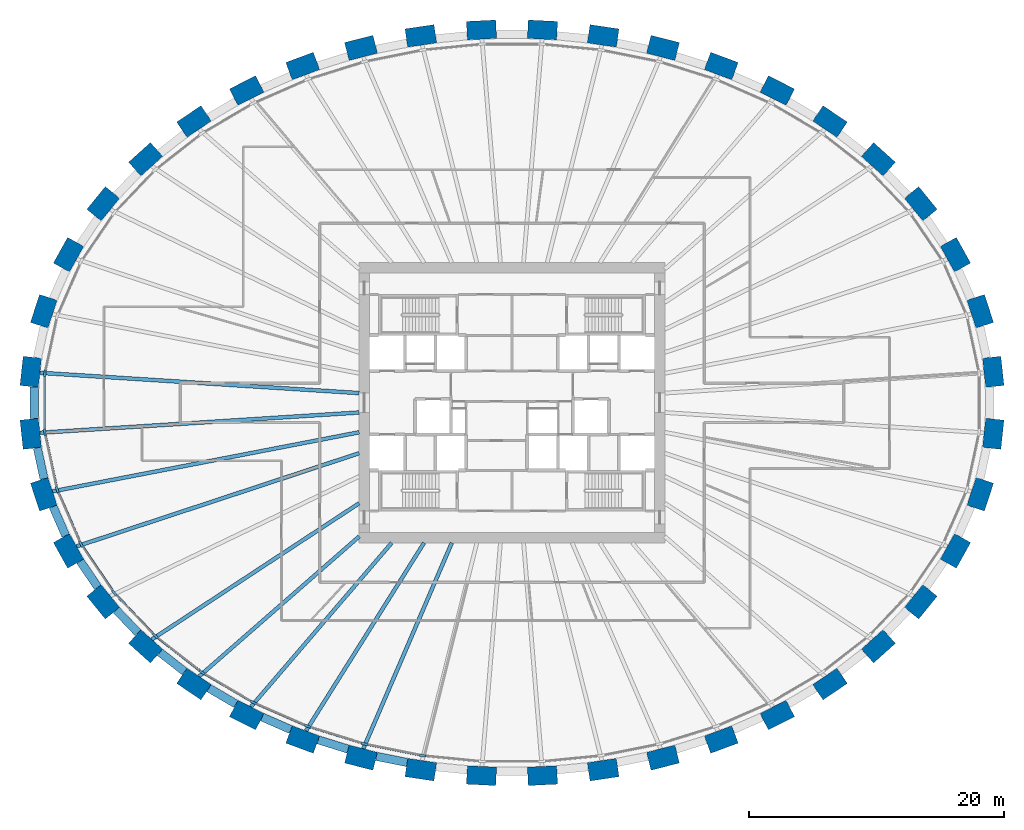
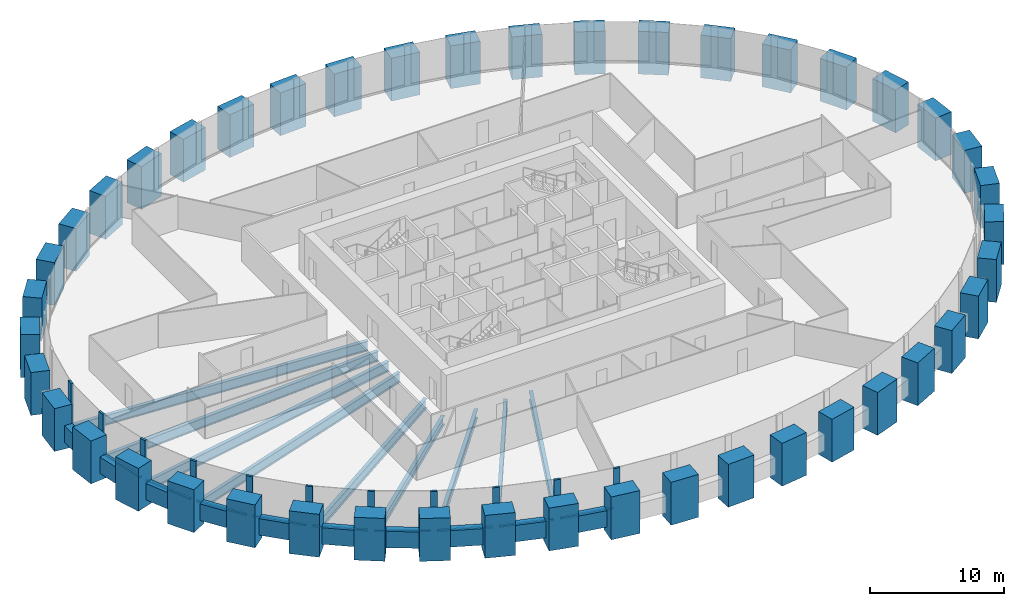
# One storey, part 1 of 10: 44 columns, 21 members, 19 beams, 1 element without a shape of its own.
"""IFC4 building model written with IfcOpenShell, lengths in metres."""

from ifc_helpers import new_model, si_unit, direction, frame, origin, origin_2d, place, context, subcontext, project, spatial, rectangle, i_section, extrude, source, transform, mapped, material, material_profile, profile_set, type_object, element, aggregate, save


model = new_model("IFC4")

# Units and contexts
model_context = context("Model", 3, precision=1e-05, world=origin(), true_north=direction((0.0, 1.0)))
body_context = subcontext(model_context, "Body", "Model", "MODEL_VIEW")
ifc_project = project(units=[si_unit("LENGTHUNIT", "METRE"), si_unit("AREAUNIT", "SQUARE_METRE"), si_unit("VOLUMEUNIT", "CUBIC_METRE"), si_unit("PLANEANGLEUNIT", "RADIAN"), si_unit("MASSUNIT", "GRAM", prefix="KILO")], contexts=[model_context])

# Site, building, storey
site_placement = place(None, origin())
site = spatial("IfcSite", under=ifc_project, at=site_placement, CompositionType="ELEMENT")
building_placement = place(site_placement, origin())
building = spatial("IfcBuilding", under=site, at=building_placement, Name="Embergate Tower", CompositionType="ELEMENT")
storey_placement = place(building_placement, frame((0.0, 0.0, 152.10009765625)))
storey = spatial("IfcBuildingStorey", under=building, at=storey_placement, Name="L33", CompositionType="ELEMENT", Elevation=152.10009765625)

# Columns
ifc_material_1 = material(Name="Concrete C70", Category="concrete")
ifc_material_profile_1 = material_profile(ifc_material_1, rectangle(XDim=1.449951171875, YDim=2.300048828125, at=origin_2d()), Name="RC 1450x2300")
ifc_profile_set_1 = profile_set([ifc_material_profile_1], Name="Concrete C70")
column_type = type_object("IfcColumnType", Name="Ring column RC 1450x2300 C70", PredefinedType="COLUMN", material=ifc_profile_set_1)
shared_shape_1 = source(origin(), body_context, "Body", "SweptSolid", [
    extrude(rectangle(XDim=1.449951171875, YDim=2.300048828125, at=origin_2d()), origin(), (0.0, 0.0, 1.0), 3.900146484375),
])
for number, where, z_axis, x_axis, name in (
    (1, (37.7919921875, 2.431884765625, -1.400146484375), (0.0, 0.0, 1.0), (0.99428589498, 0.106749983816, 0.0), "COL-L33-00"),
    (2, (36.76904296875, 7.18408203125, -1.400146484375), (0.0, 0.0, 1.0), (0.950754033697, 0.309946394413, 0.0), "COL-L33-01"),
    (3, (34.821044921875, 11.6279296875, -1.400146484375), (0.0, 0.0, 1.0), (0.873491969053, 0.486838556403, 0.0), "COL-L33-02"),
    (4, (32.10009765625, 15.62890625, -1.400146484375), (0.0, 0.0, 1.0), (0.775914301615, 0.630838328377, 0.0), "COL-L33-03"),
    (5, (28.76904296875, 19.1220703125, -1.400146484375), (0.0, 0.0, 1.0), (0.669208424634, 0.74307475021, 0.0), "COL-L33-04"),
    (6, (24.972900390625, 22.0849609375, -1.400146484375), (0.0, 0.0, 1.0), (0.560393279442, 0.828226643109, 0.0), "COL-L33-05"),
    (7, (20.830078125, 24.52099609375, -1.400146484375), (0.0, 0.0, 1.0), (0.452994952881, 0.891513080478, 0.0), "COL-L33-06"),
    (8, (16.43310546875, 26.444091796875, -1.400146484375), (0.0, 0.0, 1.0), (0.348343015724, 0.93736713373, 0.0), "COL-L33-07"),
    (9, (11.85595703125, 27.868896484375, -1.400146484375), (0.0, 0.0, 1.0), (0.246491603437, 0.969144926951, 0.0), "COL-L33-08"),
    (10, (7.158935546875, 28.81103515625, -1.400146484375), (0.0, 0.0, 1.0), (0.146929011949, 0.989147039346, 0.0), "COL-L33-09"),
    (11, (2.39404296875, 29.280029296875, -1.400146484375), (0.0, 0.0, 1.0), (0.048814904854, 0.998807841912, 0.0), "COL-L33-10"),
    (12, (-2.39404296875, 29.280029296875, -1.400146484375), (0.0, 0.0, 1.0), (-0.048814904854, 0.998807841912, 0.0), "COL-L33-11"),
    (13, (-7.158935546875, 28.81103515625, -1.400146484375), (0.0, 0.0, 1.0), (-0.146929011949, 0.989147039346, 0.0), "COL-L33-12"),
    (14, (-11.85595703125, 27.868896484375, -1.400146484375), (0.0, 0.0, 1.0), (-0.246491603437, 0.969144926951, 0.0), "COL-L33-13"),
    (15, (-16.43310546875, 26.444091796875, -1.400146484375), (0.0, 0.0, 1.0), (-0.348343015724, 0.93736713373, 0.0), "COL-L33-14"),
    (16, (-20.830078125, 24.52099609375, -1.400146484375), (0.0, 0.0, 1.0), (-0.452994952881, 0.891513080478, 0.0), "COL-L33-15"),
    (17, (-24.972900390625, 22.0849609375, -1.400146484375), (0.0, 0.0, 1.0), (-0.560393279442, 0.828226643109, 0.0), "COL-L33-16"),
    (18, (-28.76904296875, 19.1220703125, -1.400146484375), (0.0, 0.0, 1.0), (-0.669208424634, 0.74307475021, 0.0), "COL-L33-17"),
    (19, (-32.10009765625, 15.62890625, -1.400146484375), (0.0, 0.0, 1.0), (-0.775914301615, 0.630838328377, 0.0), "COL-L33-18"),
    (20, (-34.821044921875, 11.6279296875, -1.400146484375), (0.0, 0.0, 1.0), (-0.873491969053, 0.486838556403, 0.0), "COL-L33-19"),
    (21, (-36.76904296875, 7.18408203125, -1.400146484375), (0.0, 0.0, 1.0), (-0.950754033697, 0.309946394413, 0.0), "COL-L33-20"),
    (22, (-37.7919921875, 2.431884765625, -1.400146484375), (0.0, 0.0, 1.0), (-0.99428589498, 0.106749983816, 0.0), "COL-L33-21"),
    (23, (-37.7919921875, -2.431884765625, -1.400146484375), (0.0, 0.0, 1.0), (-0.99428589498, -0.106749983816, 0.0), "COL-L33-22"),
    (24, (-36.76904296875, -7.18408203125, -1.400146484375), (0.0, 0.0, 1.0), (-0.950754033697, -0.309946394413, 0.0), "COL-L33-23"),
    (25, (-34.821044921875, -11.6279296875, -1.400146484375), (0.0, 0.0, 1.0), (-0.873491969053, -0.486838556403, 0.0), "COL-L33-24"),
    (26, (-32.10009765625, -15.62890625, -1.400146484375), (0.0, 0.0, 1.0), (-0.775914301615, -0.630838328377, 0.0), "COL-L33-25"),
    (27, (-28.76904296875, -19.1220703125, -1.400146484375), (0.0, 0.0, 1.0), (-0.669208424634, -0.74307475021, 0.0), "COL-L33-26"),
    (28, (-24.972900390625, -22.0849609375, -1.400146484375), (0.0, 0.0, 1.0), (-0.560393279442, -0.828226643109, 0.0), "COL-L33-27"),
    (29, (-20.830078125, -24.52099609375, -1.400146484375), (0.0, 0.0, 1.0), (-0.452994952881, -0.891513080478, 0.0), "COL-L33-28"),
    (30, (-16.43310546875, -26.444091796875, -1.400146484375), (0.0, 0.0, 1.0), (-0.348343015724, -0.93736713373, 0.0), "COL-L33-29"),
    (31, (-11.85595703125, -27.868896484375, -1.400146484375), (0.0, 0.0, 1.0), (-0.246491603437, -0.969144926951, 0.0), "COL-L33-30"),
    (32, (-7.158935546875, -28.81103515625, -1.400146484375), (0.0, 0.0, 1.0), (-0.146929011949, -0.989147039346, 0.0), "COL-L33-31"),
    (33, (-2.39404296875, -29.280029296875, -1.400146484375), (0.0, 0.0, 1.0), (-0.048814904854, -0.998807841912, 0.0), "COL-L33-32"),
    (34, (2.39404296875, -29.280029296875, -1.400146484375), (0.0, 0.0, 1.0), (0.048814904854, -0.998807841912, 0.0), "COL-L33-33"),
    (35, (7.158935546875, -28.81103515625, -1.400146484375), (0.0, 0.0, 1.0), (0.146929011949, -0.989147039346, 0.0), "COL-L33-34"),
    (36, (11.85595703125, -27.868896484375, -1.400146484375), (0.0, 0.0, 1.0), (0.246491603437, -0.969144926951, 0.0), "COL-L33-35"),
    (37, (16.43310546875, -26.444091796875, -1.400146484375), (0.0, 0.0, 1.0), (0.348343015724, -0.93736713373, 0.0), "COL-L33-36"),
    (38, (20.830078125, -24.52099609375, -1.400146484375), (0.0, 0.0, 1.0), (0.452994952881, -0.891513080478, 0.0), "COL-L33-37"),
    (39, (24.972900390625, -22.0849609375, -1.400146484375), (0.0, 0.0, 1.0), (0.560393279442, -0.828226643109, 0.0), "COL-L33-38"),
    (40, (28.76904296875, -19.1220703125, -1.400146484375), (0.0, 0.0, 1.0), (0.669208424634, -0.74307475021, 0.0), "COL-L33-39"),
    (41, (32.10009765625, -15.62890625, -1.400146484375), (0.0, 0.0, 1.0), (0.775914301615, -0.630838328377, 0.0), "COL-L33-40"),
    (42, (34.821044921875, -11.6279296875, -1.400146484375), (0.0, 0.0, 1.0), (0.873491969053, -0.486838556403, 0.0), "COL-L33-41"),
    (43, (36.76904296875, -7.18408203125, -1.400146484375), (0.0, 0.0, 1.0), (0.950754033697, -0.309946394413, 0.0), "COL-L33-42"),
    (44, (37.7919921875, -2.431884765625, -1.400146484375), (0.0, 0.0, 1.0), (0.99428589498, -0.106749983816, 0.0), "COL-L33-43"),
):
    element("IfcColumn", number, at=place(storey_placement, frame(where, z_axis=z_axis, x_axis=x_axis)), inside=storey, type_object=column_type, Name=name, PredefinedType="COLUMN", context=body_context, shape_type="MappedRepresentation", body=[
        mapped(shared_shape_1, transform((0.0, 0.0, 0.0))),
    ])

# Beams
ifc_material_profile_2 = material_profile(ifc_material_1, rectangle(XDim=0.64990234375, YDim=1.5, at=origin_2d()), Name="RC 650x1500")
ifc_profile_set_2 = profile_set([ifc_material_profile_2], Name="Concrete C70")
beam_type_1 = type_object("IfcBeamType", Name="Spandrel beam RC 650x1500 C70", PredefinedType="BEAM", material=ifc_profile_set_2)
shared_shape_2 = source(origin(), body_context, "Body", "SweptSolid", [
    extrude(rectangle(XDim=0.64990234375, YDim=1.5, at=origin_2d()), origin(), (0.0, 0.0, 1.0), 2.490966796875),
])
beam_1_placement = place(storey_placement, frame((-37.27294921875, -3.532958984375, 0.0), z_axis=(0.210720345789, -0.977546385534, 0.0), x_axis=(0.977546385534, 0.210720345789, 0.0)))
element("IfcBeam", 45, at=beam_1_placement, inside=storey, type_object=beam_type_1, Name="SPN-L33-22", PredefinedType="BEAM", context=body_context, shape_type="MappedRepresentation", body=[
    mapped(shared_shape_2, transform((0.0, 0.0, 0.0))),
])
shared_shape_3 = source(origin(), body_context, "Body", "SweptSolid", [
    extrude(rectangle(XDim=0.64990234375, YDim=1.5, at=origin_2d()), origin(), (0.0, 0.0, 1.0), 2.48828125),
])
beam_2_placement = place(storey_placement, frame((-36.041015625, -8.156005859375, 0.0), z_axis=(0.401472379967, -0.91587113074, 0.0), x_axis=(0.91587113074, 0.401472379967, 0.0)))
element("IfcBeam", 46, at=beam_2_placement, inside=storey, type_object=beam_type_1, Name="SPN-L33-23", PredefinedType="BEAM", context=body_context, shape_type="MappedRepresentation", body=[
    mapped(shared_shape_3, transform((0.0, 0.0, 0.0))),
])
shared_shape_4 = source(origin(), body_context, "Body", "SweptSolid", [
    extrude(rectangle(XDim=0.64990234375, YDim=1.5, at=origin_2d()), origin(), (0.0, 0.0, 1.0), 2.4775390625),
])
beam_3_placement = place(storey_placement, frame((-33.910888671875, -12.43701171875, 0.0), z_axis=(0.562159078618, -0.827029123022, 0.0), x_axis=(0.827029123022, 0.562159078618, 0.0)))
element("IfcBeam", 47, at=beam_3_placement, inside=storey, type_object=beam_type_1, Name="SPN-L33-24", PredefinedType="BEAM", context=body_context, shape_type="MappedRepresentation", body=[
    mapped(shared_shape_4, transform((0.0, 0.0, 0.0))),
])
shared_shape_5 = source(origin(), body_context, "Body", "SweptSolid", [
    extrude(rectangle(XDim=0.64990234375, YDim=1.5, at=origin_2d()), origin(), (0.0, 0.0, 1.0), 2.473388671875),
])
beam_4_placement = place(storey_placement, frame((-31.072021484375, -16.27490234375, 0.0), z_axis=(0.69012823406, -0.723687101276, 0.0), x_axis=(0.723687101276, 0.69012823406, 0.0)))
element("IfcBeam", 48, at=beam_4_placement, inside=storey, type_object=beam_type_1, Name="SPN-L33-25", PredefinedType="BEAM", context=body_context, shape_type="MappedRepresentation", body=[
    mapped(shared_shape_5, transform((0.0, 0.0, 0.0))),
])
shared_shape_6 = source(origin(), body_context, "Body", "SweptSolid", [
    extrude(rectangle(XDim=0.64990234375, YDim=1.5, at=origin_2d()), origin(), (0.0, 0.0, 1.0), 2.466552734375),
])
beam_5_placement = place(storey_placement, frame((-27.64697265625, -19.593994140625, 0.0), z_axis=(0.788172909908, -0.615453868367, 0.0), x_axis=(0.615453868367, 0.788172909908, 0.0)))
element("IfcBeam", 49, at=beam_5_placement, inside=storey, type_object=beam_type_1, Name="SPN-L33-26", PredefinedType="BEAM", context=body_context, shape_type="MappedRepresentation", body=[
    mapped(shared_shape_6, transform((0.0, 0.0, 0.0))),
])
shared_shape_7 = source(origin(), body_context, "Body", "SweptSolid", [
    extrude(rectangle(XDim=0.64990234375, YDim=1.5, at=origin_2d()), origin(), (0.0, 0.0, 1.0), 2.46142578125),
])
beam_6_placement = place(storey_placement, frame((-23.801025390625, -22.405029296875, 0.0), z_axis=(0.86214832468, -0.506655964389, 0.0), x_axis=(0.506655964389, 0.86214832468, 0.0)))
element("IfcBeam", 50, at=beam_6_placement, inside=storey, type_object=beam_type_1, Name="SPN-L33-27", PredefinedType="BEAM", context=body_context, shape_type="MappedRepresentation", body=[
    mapped(shared_shape_7, transform((0.0, 0.0, 0.0))),
])
shared_shape_8 = source(origin(), body_context, "Body", "SweptSolid", [
    extrude(rectangle(XDim=0.64990234375, YDim=1.5, at=origin_2d()), origin(), (0.0, 0.0, 1.0), 2.456787109375),
])
beam_7_placement = place(storey_placement, frame((-19.62109375, -24.679931640625, 0.0), z_axis=(0.916257660854, -0.40058943936, 0.0), x_axis=(0.40058943936, 0.916257660854, 0.0)))
element("IfcBeam", 51, at=beam_7_placement, inside=storey, type_object=beam_type_1, Name="SPN-L33-28", PredefinedType="BEAM", context=body_context, shape_type="MappedRepresentation", body=[
    mapped(shared_shape_8, transform((0.0, 0.0, 0.0))),
])
shared_shape_9 = source(origin(), body_context, "Body", "SweptSolid", [
    extrude(rectangle(XDim=0.64990234375, YDim=1.5, at=origin_2d()), origin(), (0.0, 0.0, 1.0), 2.4541015625),
])
beam_8_placement = place(storey_placement, frame((-15.215087890625, -26.468017578125, 0.0), z_axis=(0.954736297307, -0.29745353016, 0.0), x_axis=(0.29745353016, 0.954736297307, 0.0)))
element("IfcBeam", 52, at=beam_8_placement, inside=storey, type_object=beam_type_1, Name="SPN-L33-29", PredefinedType="BEAM", context=body_context, shape_type="MappedRepresentation", body=[
    mapped(shared_shape_9, transform((0.0, 0.0, 0.0))),
])
shared_shape_10 = source(origin(), body_context, "Body", "SweptSolid", [
    extrude(rectangle(XDim=0.64990234375, YDim=1.5, at=origin_2d()), origin(), (0.0, 0.0, 1.0), 2.453125),
])
beam_9_placement = place(storey_placement, frame((-10.64306640625, -27.76611328125, 0.0), z_axis=(0.980431102511, -0.196862523679, 0.0), x_axis=(0.196862523679, 0.980431102511, 0.0)))
element("IfcBeam", 53, at=beam_9_placement, inside=storey, type_object=beam_type_1, Name="SPN-L33-30", PredefinedType="BEAM", context=body_context, shape_type="MappedRepresentation", body=[
    mapped(shared_shape_10, transform((0.0, 0.0, 0.0))),
])
shared_shape_11 = source(origin(), body_context, "Body", "SweptSolid", [
    extrude(rectangle(XDim=0.64990234375, YDim=1.5, at=origin_2d()), origin(), (0.0, 0.0, 1.0), 2.4921875),
])
beam_10_placement = place(storey_placement, frame((-37.51611328125, 1.24609375, 0.0), z_axis=(0.0, -1.0, 0.0), x_axis=(1.0, 0.0, 0.0)))
element("IfcBeam", 54, at=beam_10_placement, inside=storey, type_object=beam_type_1, Name="SPN-L33-21", PredefinedType="BEAM", context=body_context, shape_type="MappedRepresentation", body=[
    mapped(shared_shape_11, transform((0.0, 0.0, 0.0))),
])
ifc_material_2 = material(Name="Steel Q355B", Category="steel")
ifc_material_profile_3 = material_profile(ifc_material_2, i_section(OverallWidth=0.300048828125, OverallDepth=0.89990234375, WebThickness=0.01611328125, FlangeThickness=0.028076171875, FilletRadius=0.028076171875, at=origin_2d()), Name="HN 900x300x16x28")
ifc_profile_set_3 = profile_set([ifc_material_profile_3], Name="Steel Q355 grade B")
beam_type_2 = type_object("IfcBeamType", Name="Radial girder HN 900x300x16x28", PredefinedType="BEAM", material=ifc_profile_set_3)
shared_shape_12 = source(origin(), body_context, "Body", "SweptSolid", [
    extrude(i_section(OverallWidth=0.300048828125, OverallDepth=0.89990234375, WebThickness=0.01611328125, FlangeThickness=0.028076171875, FilletRadius=0.028076171875, at=origin_2d()), origin(), (0.0, 0.0, 1.0), 25.12158203125),
])
for number, where, z_axis, x_axis, name in (
    (55, (-37.071044921875, 2.35498046875, -0.650146484375), (0.9979874177, -0.063412255217, 0.0), (0.063412255217, 0.9979874177, 0.0), "GIR-L33-21"),
    (56, (-37.071044921875, -2.35498046875, -0.650146484375), (0.9979874177, 0.063412255217, 0.0), (-0.063412255217, 0.9979874177, 0.0), "GIR-L33-22"),
):
    element("IfcBeam", number, at=place(storey_placement, frame(where, z_axis=z_axis, x_axis=x_axis)), inside=storey, type_object=beam_type_2, Name=name, PredefinedType="BEAM", context=body_context, shape_type="MappedRepresentation", body=[
        mapped(shared_shape_12, transform((0.0, 0.0, 0.0))),
    ])
shared_shape_13 = source(origin(), body_context, "Body", "SweptSolid", [
    extrude(i_section(OverallWidth=0.300048828125, OverallDepth=0.89990234375, WebThickness=0.01611328125, FlangeThickness=0.028076171875, FilletRadius=0.028076171875, at=origin_2d()), origin(), (0.0, 0.0, 1.0), 24.52392578125),
])
beam_11_placement = place(storey_placement, frame((-36.080078125, -6.958984375, -0.650146484375), z_axis=(0.981906046022, 0.189368732333, 0.0), x_axis=(-0.189368732333, 0.981906046022, 0.0)))
element("IfcBeam", 57, at=beam_11_placement, inside=storey, type_object=beam_type_2, Name="GIR-L33-23", PredefinedType="BEAM", context=body_context, shape_type="MappedRepresentation", body=[
    mapped(shared_shape_13, transform((0.0, 0.0, 0.0))),
])
shared_shape_14 = source(origin(), body_context, "Body", "SweptSolid", [
    extrude(i_section(OverallWidth=0.300048828125, OverallDepth=0.89990234375, WebThickness=0.01611328125, FlangeThickness=0.028076171875, FilletRadius=0.028076171875, at=origin_2d()), origin(), (0.0, 0.0, 1.0), 23.36328125),
])
beam_12_placement = place(storey_placement, frame((-34.18798828125, -11.27490234375, -0.650146484375), z_axis=(0.949694119995, 0.313178987877, 0.0), x_axis=(-0.313178987877, 0.949694119995, 0.0)))
element("IfcBeam", 58, at=beam_12_placement, inside=storey, type_object=beam_type_2, Name="GIR-L33-24", PredefinedType="BEAM", context=body_context, shape_type="MappedRepresentation", body=[
    mapped(shared_shape_14, transform((0.0, 0.0, 0.0))),
])
shared_shape_15 = source(origin(), body_context, "Body", "SweptSolid", [
    extrude(i_section(OverallWidth=0.300048828125, OverallDepth=0.89990234375, WebThickness=0.01611328125, FlangeThickness=0.028076171875, FilletRadius=0.028076171875, at=origin_2d()), origin(), (0.0, 0.0, 1.0), 19.484130859375),
])
beam_13_placement = place(storey_placement, frame((-28.283935546875, -18.5830078125, -0.650146484375), z_axis=(0.835750168369, 0.549109876137, 0.0), x_axis=(-0.549109876137, 0.835750168369, 0.0)))
element("IfcBeam", 59, at=beam_13_placement, inside=storey, type_object=beam_type_2, Name="GIR-L33-26", PredefinedType="BEAM", context=body_context, shape_type="MappedRepresentation", body=[
    mapped(shared_shape_15, transform((0.0, 0.0, 0.0))),
])
ifc_material_profile_4 = material_profile(ifc_material_2, i_section(OverallWidth=0.300048828125, OverallDepth=0.800048828125, WebThickness=0.013916015625, FlangeThickness=0.02587890625, FilletRadius=0.028076171875, at=origin_2d()), Name="HN 800x300x14x26")
ifc_profile_set_4 = profile_set([ifc_material_profile_4], Name="Steel Q355 grade B")
beam_type_3 = type_object("IfcBeamType", Name="Radial girder HN 800x300x14x26", PredefinedType="BEAM", material=ifc_profile_set_4)
shared_shape_16 = source(origin(), body_context, "Body", "SweptSolid", [
    extrude(i_section(OverallWidth=0.300048828125, OverallDepth=0.800048828125, WebThickness=0.013916015625, FlangeThickness=0.02587890625, FilletRadius=0.028076171875, at=origin_2d()), origin(), (0.0, 0.0, 1.0), 16.6953125),
])
beam_14_placement = place(storey_placement, frame((-24.56689453125, -21.485107421875, -0.60009765625), z_axis=(0.752719804108, 0.658341018397, 0.0), x_axis=(-0.658341018397, 0.752719804108, 0.0)))
element("IfcBeam", 60, at=beam_14_placement, inside=storey, type_object=beam_type_3, Name="GIR-L33-27", PredefinedType="BEAM", context=body_context, shape_type="MappedRepresentation", body=[
    mapped(shared_shape_16, transform((0.0, 0.0, 0.0))),
])
shared_shape_17 = source(origin(), body_context, "Body", "SweptSolid", [
    extrude(i_section(OverallWidth=0.300048828125, OverallDepth=0.800048828125, WebThickness=0.013916015625, FlangeThickness=0.02587890625, FilletRadius=0.028076171875, at=origin_2d()), origin(), (0.0, 0.0, 1.0), 16.970458984375),
])
beam_15_placement = place(storey_placement, frame((-20.501953125, -23.875, -0.60009765625), z_axis=(0.651477073616, 0.758668321833, 0.0), x_axis=(-0.758668321833, 0.651477073616, 0.0)))
element("IfcBeam", 61, at=beam_15_placement, inside=storey, type_object=beam_type_3, Name="GIR-L33-28", PredefinedType="BEAM", context=body_context, shape_type="MappedRepresentation", body=[
    mapped(shared_shape_17, transform((0.0, 0.0, 0.0))),
])
shared_shape_18 = source(origin(), body_context, "Body", "SweptSolid", [
    extrude(i_section(OverallWidth=0.300048828125, OverallDepth=0.800048828125, WebThickness=0.013916015625, FlangeThickness=0.02587890625, FilletRadius=0.028076171875, at=origin_2d()), origin(), (0.0, 0.0, 1.0), 17.433837890625),
])
beam_16_placement = place(storey_placement, frame((-16.179931640625, -25.763916015625, -0.60009765625), z_axis=(0.531834233156, 0.846848480216, 0.0), x_axis=(-0.846848480216, 0.531834233156, 0.0)))
element("IfcBeam", 62, at=beam_16_placement, inside=storey, type_object=beam_type_3, Name="GIR-L33-29", PredefinedType="BEAM", context=body_context, shape_type="MappedRepresentation", body=[
    mapped(shared_shape_18, transform((0.0, 0.0, 0.0))),
])
shared_shape_19 = source(origin(), body_context, "Body", "SweptSolid", [
    extrude(i_section(OverallWidth=0.300048828125, OverallDepth=0.800048828125, WebThickness=0.013916015625, FlangeThickness=0.02587890625, FilletRadius=0.028076171875, at=origin_2d()), origin(), (0.0, 0.0, 1.0), 17.59619140625),
])
beam_17_placement = place(storey_placement, frame((-11.677001953125, -27.166015625, -0.60009765625), z_axis=(0.394912057755, 0.918718926898, 0.0), x_axis=(-0.918718926898, 0.394912057755, 0.0)))
element("IfcBeam", 63, at=beam_17_placement, inside=storey, type_object=beam_type_3, Name="GIR-L33-30", PredefinedType="BEAM", context=body_context, shape_type="MappedRepresentation", body=[
    mapped(shared_shape_19, transform((0.0, 0.0, 0.0))),
])

# Curtain wall, members
ifc_material_3 = material(Name="Aluminium and glass", Category="aluminium")
curtain_wall_type = type_object("IfcCurtainWallType", Name="Recessed office glazing", PredefinedType="NOTDEFINED", material=ifc_material_3)
curtain_wall_placement = place(storey_placement, origin())
curtain_wall = element("IfcCurtainWall", 64, at=curtain_wall_placement, inside=storey, type_object=curtain_wall_type, Name="Recessed office glazing ring", ObjectType="RECESSED OFFICE GLAZING", PredefinedType="USERDEFINED")
ifc_material_4 = material(Name="Aluminium, thermally broken", Category="aluminium")
ifc_material_profile_5 = material_profile(ifc_material_4, rectangle(XDim=0.179931640625, YDim=0.52001953125, at=origin_2d()), Name="AL 520x180")
ifc_profile_set_5 = profile_set([ifc_material_profile_5], Name="Aluminium, thermally broken")
member_type_1 = type_object("IfcMemberType", Name="Office mullion", PredefinedType="MULLION", material=ifc_profile_set_5)
shared_shape_20 = source(origin(), body_context, "Body", "SweptSolid", [
    extrude(rectangle(XDim=0.179931640625, YDim=0.52001953125, at=origin_2d()), origin(), (0.0, 0.0, 1.0), 3.699951171875),
])
member_1_placement = place(storey_placement, frame((-36.68310546875, 2.313232421875, 0.0), z_axis=(0.0, 0.0, 1.0), x_axis=(0.994384954736, -0.105823257345, 0.0)))
member_1 = element("IfcMember", 65, at=member_1_placement, type_object=member_type_1, Name="CW mullion 22", PredefinedType="MULLION", context=body_context, shape_type="MappedRepresentation", body=[
    mapped(shared_shape_20, transform((0.0, 0.0, 0.0))),
])
member_2_placement = place(storey_placement, frame((-36.68310546875, -2.313232421875, 0.0), z_axis=(0.0, 0.0, 1.0), x_axis=(0.994384954736, 0.105823257345, 0.0)))
member_2 = element("IfcMember", 66, at=member_2_placement, type_object=member_type_1, Name="CW mullion 23", PredefinedType="MULLION", context=body_context, shape_type="MappedRepresentation", body=[
    mapped(shared_shape_20, transform((0.0, 0.0, 0.0))),
])
member_3_placement = place(storey_placement, frame((-35.708984375, -6.8388671875, 0.0), z_axis=(0.0, 0.0, 1.0), x_axis=(0.951498334951, 0.307653894149, 0.0)))
member_3 = element("IfcMember", 67, at=member_3_placement, type_object=member_type_1, Name="CW mullion 24", PredefinedType="MULLION", context=body_context, shape_type="MappedRepresentation", body=[
    mapped(shared_shape_20, transform((0.0, 0.0, 0.0))),
])
member_4_placement = place(storey_placement, frame((-33.846923828125, -11.084716796875, 0.0), z_axis=(0.0, 0.0, 1.0), x_axis=(0.875001895832, 0.484119491748, 0.0)))
member_4 = element("IfcMember", 68, at=member_4_placement, type_object=member_type_1, Name="CW mullion 25", PredefinedType="MULLION", context=body_context, shape_type="MappedRepresentation", body=[
    mapped(shared_shape_20, transform((0.0, 0.0, 0.0))),
])
member_5_placement = place(storey_placement, frame((-31.23486328125, -14.92578125, 0.0), z_axis=(0.0, 0.0, 1.0), x_axis=(0.777872564355, 0.628422050555, 0.0)))
member_5 = element("IfcMember", 69, at=member_5_placement, type_object=member_type_1, Name="CW mullion 26", PredefinedType="MULLION", context=body_context, shape_type="MappedRepresentation", body=[
    mapped(shared_shape_20, transform((0.0, 0.0, 0.0))),
])
member_6_placement = place(storey_placement, frame((-28.023193359375, -18.29345703125, 0.0), z_axis=(0.0, 0.0, 1.0), x_axis=(0.671226533956, 0.741252278319, 0.0)))
member_6 = element("IfcMember", 70, at=member_6_placement, type_object=member_type_1, Name="CW mullion 27", PredefinedType="MULLION", context=body_context, shape_type="MappedRepresentation", body=[
    mapped(shared_shape_20, transform((0.0, 0.0, 0.0))),
])
member_7_placement = place(storey_placement, frame((-24.3486328125, -21.161376953125, 0.0), z_axis=(0.0, 0.0, 1.0), x_axis=(0.562217618544, 0.826989328467, 0.0)))
member_7 = element("IfcMember", 71, at=member_7_placement, type_object=member_type_1, Name="CW mullion 28", PredefinedType="MULLION", context=body_context, shape_type="MappedRepresentation", body=[
    mapped(shared_shape_20, transform((0.0, 0.0, 0.0))),
])
member_8_placement = place(storey_placement, frame((-20.3251953125, -23.52685546875, 0.0), z_axis=(0.0, 0.0, 1.0), x_axis=(0.454511380526, 0.890740930334, 0.0)))
member_8 = element("IfcMember", 72, at=member_8_placement, type_object=member_type_1, Name="CW mullion 29", PredefinedType="MULLION", context=body_context, shape_type="MappedRepresentation", body=[
    mapped(shared_shape_20, transform((0.0, 0.0, 0.0))),
])
member_9_placement = place(storey_placement, frame((-16.044921875, -25.3984375, 0.0), z_axis=(0.0, 0.0, 1.0), x_axis=(0.349502682851, 0.936935363128, 0.0)))
member_9 = element("IfcMember", 73, at=member_9_placement, type_object=member_type_1, Name="CW mullion 30", PredefinedType="MULLION", context=body_context, shape_type="MappedRepresentation", body=[
    mapped(shared_shape_20, transform((0.0, 0.0, 0.0))),
])
member_10_placement = place(storey_placement, frame((-11.581298828125, -26.78857421875, 0.0), z_axis=(0.0, 0.0, 1.0), x_axis=(0.24731188137, 0.968935928394, 0.0)))
member_10 = element("IfcMember", 74, at=member_10_placement, type_object=member_type_1, Name="CW mullion 31", PredefinedType="MULLION", context=body_context, shape_type="MappedRepresentation", body=[
    mapped(shared_shape_20, transform((0.0, 0.0, 0.0))),
])
member_11_placement = place(storey_placement, frame((-6.99560546875, -27.708251953125, 0.0), z_axis=(0.0, 0.0, 1.0), x_axis=(0.147412382818, 0.989075118174, 0.0)))
member_11 = element("IfcMember", 75, at=member_11_placement, type_object=member_type_1, Name="CW mullion 32", PredefinedType="MULLION", context=body_context, shape_type="MappedRepresentation", body=[
    mapped(shared_shape_20, transform((0.0, 0.0, 0.0))),
])
ifc_material_profile_6 = material_profile(ifc_material_4, rectangle(XDim=0.179931640625, YDim=0.14990234375, at=origin_2d()), Name="AL 150x180")
ifc_profile_set_6 = profile_set([ifc_material_profile_6], Name="Aluminium, thermally broken")
member_type_2 = type_object("IfcMemberType", Name="Office sill transom", PredefinedType="USERDEFINED", material=ifc_profile_set_6)
shared_shape_21 = source(origin(), body_context, "Body", "SweptSolid", [
    extrude(rectangle(XDim=0.179931640625, YDim=0.14990234375, at=origin_2d()), origin(), (0.0, 0.0, 1.0), 4.109375),
])
member_12_placement = place(storey_placement, frame((-36.62841796875, -2.5673828125, 0.074951171875), z_axis=(0.210377003976, -0.97762033336, 0.0), x_axis=(0.97762033336, 0.210377003976, 0.0)))
member_12 = element("IfcMember", 76, at=member_12_placement, type_object=member_type_2, Name="CW transom 23.1", ObjectType="TRANSOM", PredefinedType="USERDEFINED", context=body_context, shape_type="MappedRepresentation", body=[
    mapped(shared_shape_21, transform((0.0, 0.0, 0.0))),
])
shared_shape_22 = source(origin(), body_context, "Body", "SweptSolid", [
    extrude(rectangle(XDim=0.179931640625, YDim=0.14990234375, at=origin_2d()), origin(), (0.0, 0.0, 1.0), 4.1162109375),
])
member_13_placement = place(storey_placement, frame((-35.6044921875, -7.076904296875, 0.074951171875), z_axis=(0.401593425876, -0.915818060694, 0.0), x_axis=(0.915818060694, 0.401593425876, 0.0)))
member_13 = element("IfcMember", 77, at=member_13_placement, type_object=member_type_2, Name="CW transom 24.1", ObjectType="TRANSOM", PredefinedType="USERDEFINED", context=body_context, shape_type="MappedRepresentation", body=[
    mapped(shared_shape_22, transform((0.0, 0.0, 0.0))),
])
shared_shape_23 = source(origin(), body_context, "Body", "SweptSolid", [
    extrude(rectangle(XDim=0.179931640625, YDim=0.14990234375, at=origin_2d()), origin(), (0.0, 0.0, 1.0), 4.124755859375),
])
member_14_placement = place(storey_placement, frame((-33.70068359375, -11.2998046875, 0.074951171875), z_axis=(0.562339161446, -0.826906686092, 0.0), x_axis=(0.826906686092, 0.562339161446, 0.0)))
member_14 = element("IfcMember", 78, at=member_14_placement, type_object=member_type_2, Name="CW transom 25.1", ObjectType="TRANSOM", PredefinedType="USERDEFINED", context=body_context, shape_type="MappedRepresentation", body=[
    mapped(shared_shape_23, transform((0.0, 0.0, 0.0))),
])
shared_shape_24 = source(origin(), body_context, "Body", "SweptSolid", [
    extrude(rectangle(XDim=0.179931640625, YDim=0.14990234375, at=origin_2d()), origin(), (0.0, 0.0, 1.0), 4.133544921875),
])
member_15_placement = place(storey_placement, frame((-31.055419921875, -15.11376953125, 0.074951171875), z_axis=(0.690134325915, -0.723681291864, 0.0), x_axis=(0.723681291864, 0.690134325915, 0.0)))
member_15 = element("IfcMember", 79, at=member_15_placement, type_object=member_type_2, Name="CW transom 26.1", ObjectType="TRANSOM", PredefinedType="USERDEFINED", context=body_context, shape_type="MappedRepresentation", body=[
    mapped(shared_shape_24, transform((0.0, 0.0, 0.0))),
])
shared_shape_25 = source(origin(), body_context, "Body", "SweptSolid", [
    extrude(rectangle(XDim=0.179931640625, YDim=0.14990234375, at=origin_2d()), origin(), (0.0, 0.0, 1.0), 4.14111328125),
])
member_16_placement = place(storey_placement, frame((-27.818115234375, -18.45361328125, 0.074951171875), z_axis=(0.788312993649, -0.615274429864, 0.0), x_axis=(0.615274429864, 0.788312993649, 0.0)))
member_16 = element("IfcMember", 80, at=member_16_placement, type_object=member_type_2, Name="CW transom 27.1", ObjectType="TRANSOM", PredefinedType="USERDEFINED", context=body_context, shape_type="MappedRepresentation", body=[
    mapped(shared_shape_25, transform((0.0, 0.0, 0.0))),
])
shared_shape_26 = source(origin(), body_context, "Body", "SweptSolid", [
    extrude(rectangle(XDim=0.179931640625, YDim=0.14990234375, at=origin_2d()), origin(), (0.0, 0.0, 1.0), 4.147216796875),
])
member_17_placement = place(storey_placement, frame((-24.12451171875, -21.293212890625, 0.074951171875), z_axis=(0.862065845043, -0.506796289263, 0.0), x_axis=(0.506796289263, 0.862065845043, 0.0)))
member_17 = element("IfcMember", 81, at=member_17_placement, type_object=member_type_2, Name="CW transom 28.1", ObjectType="TRANSOM", PredefinedType="USERDEFINED", context=body_context, shape_type="MappedRepresentation", body=[
    mapped(shared_shape_26, transform((0.0, 0.0, 0.0))),
])
shared_shape_27 = source(origin(), body_context, "Body", "SweptSolid", [
    extrude(rectangle(XDim=0.179931640625, YDim=0.14990234375, at=origin_2d()), origin(), (0.0, 0.0, 1.0), 4.151611328125),
])
member_18_placement = place(storey_placement, frame((-20.087158203125, -23.630859375, 0.074951171875), z_axis=(0.916236944251, -0.400636820562, 0.0), x_axis=(0.400636820562, 0.916236944251, 0.0)))
member_18 = element("IfcMember", 82, at=member_18_placement, type_object=member_type_2, Name="CW transom 29.1", ObjectType="TRANSOM", PredefinedType="USERDEFINED", context=body_context, shape_type="MappedRepresentation", body=[
    mapped(shared_shape_27, transform((0.0, 0.0, 0.0))),
])
shared_shape_28 = source(origin(), body_context, "Body", "SweptSolid", [
    extrude(rectangle(XDim=0.179931640625, YDim=0.14990234375, at=origin_2d()), origin(), (0.0, 0.0, 1.0), 4.155029296875),
])
member_19_placement = place(storey_placement, frame((-15.796630859375, -25.4755859375, 0.074951171875), z_axis=(0.95476079815, -0.29737487842, 0.0), x_axis=(0.29737487842, 0.95476079815, 0.0)))
member_19 = element("IfcMember", 83, at=member_19_placement, type_object=member_type_2, Name="CW transom 30.1", ObjectType="TRANSOM", PredefinedType="USERDEFINED", context=body_context, shape_type="MappedRepresentation", body=[
    mapped(shared_shape_28, transform((0.0, 0.0, 0.0))),
])
shared_shape_29 = source(origin(), body_context, "Body", "SweptSolid", [
    extrude(rectangle(XDim=0.179931640625, YDim=0.14990234375, at=origin_2d()), origin(), (0.0, 0.0, 1.0), 4.156982421875),
])
member_20_placement = place(storey_placement, frame((-11.326416015625, -26.839599609375, 0.074951171875), z_axis=(0.98047889782, -0.196624339617, 0.0), x_axis=(0.196624339617, 0.98047889782, 0.0)))
member_20 = element("IfcMember", 84, at=member_20_placement, type_object=member_type_2, Name="CW transom 31.1", ObjectType="TRANSOM", PredefinedType="USERDEFINED", context=body_context, shape_type="MappedRepresentation", body=[
    mapped(shared_shape_29, transform((0.0, 0.0, 0.0))),
])
shared_shape_30 = source(origin(), body_context, "Body", "SweptSolid", [
    extrude(rectangle(XDim=0.179931640625, YDim=0.14990234375, at=origin_2d()), origin(), (0.0, 0.0, 1.0), 4.1064453125),
])
member_21_placement = place(storey_placement, frame((-36.68310546875, 2.05322265625, 0.074951171875), z_axis=(0.0, -1.0, 0.0), x_axis=(1.0, 0.0, 0.0)))
member_21 = element("IfcMember", 85, at=member_21_placement, type_object=member_type_2, Name="CW transom 22.1", ObjectType="TRANSOM", PredefinedType="USERDEFINED", context=body_context, shape_type="MappedRepresentation", body=[
    mapped(shared_shape_30, transform((0.0, 0.0, 0.0))),
])
aggregate(curtain_wall, [member_1, member_2, member_3, member_4, member_5, member_6, member_7, member_8, member_9, member_10, member_11, member_21, member_12, member_13, member_14, member_15, member_16, member_17, member_18, member_19, member_20])

save(model, "model.ifc")
